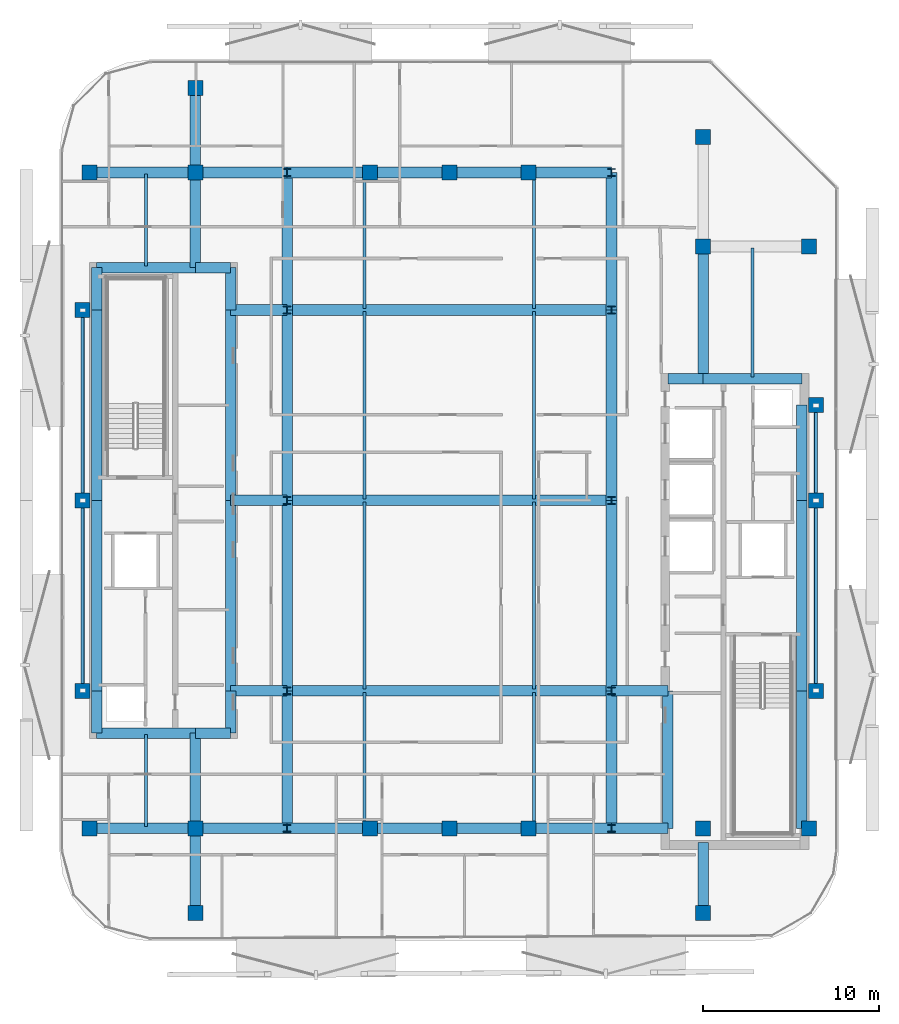
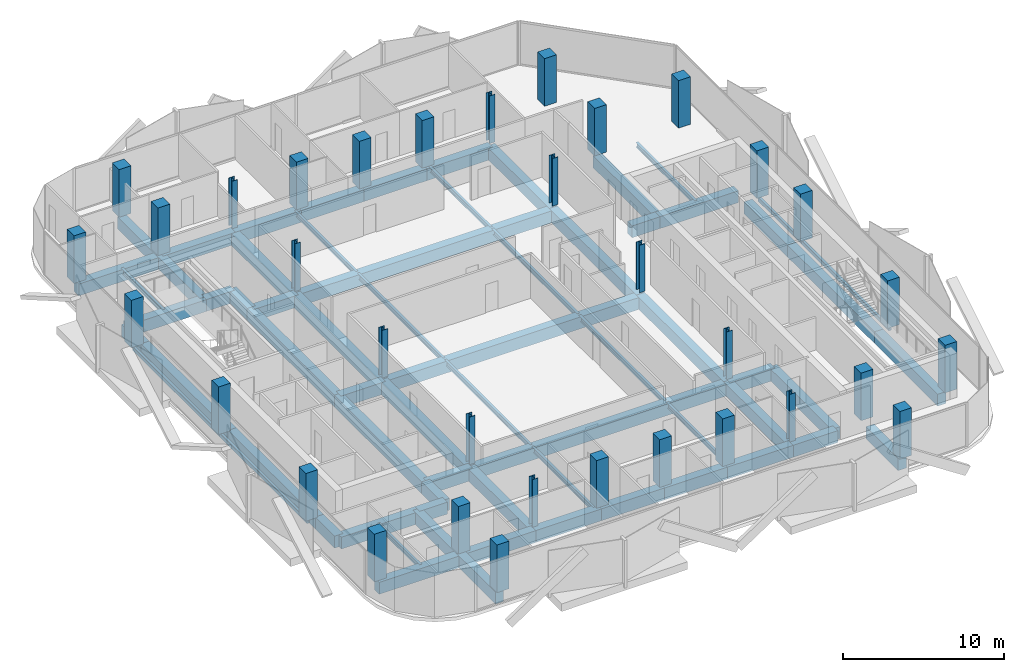
# One storey, part 1 of 15: 67 beams, 34 columns.
"""IFC4 building model written with IfcOpenShell, lengths in metres."""

from ifc_helpers import new_model, si_unit, direction, frame, origin, origin_2d, place, context, subcontext, project, spatial, rectangle, hollow_rectangle, i_section, extrude, material, material_profile, profile_set, type_object, element, save


model = new_model("IFC4")

# Units and contexts
model_context = context("Model", 3, precision=1e-05, world=origin(), true_north=direction((0.0, 1.0)))
body_context = subcontext(model_context, "Body", "Model", "MODEL_VIEW")
ifc_project = project(units=[si_unit("LENGTHUNIT", "METRE"), si_unit("AREAUNIT", "SQUARE_METRE"), si_unit("VOLUMEUNIT", "CUBIC_METRE"), si_unit("PLANEANGLEUNIT", "RADIAN"), si_unit("MASSUNIT", "GRAM", prefix="KILO")], contexts=[model_context])

# Site, building, storey
site_placement = place(None, origin())
site = spatial("IfcSite", under=ifc_project, at=site_placement, CompositionType="ELEMENT")
building_placement = place(site_placement, origin())
building = spatial("IfcBuilding", under=site, at=building_placement, Name="Khairoan Windgate Tower", CompositionType="ELEMENT")
storey_placement = place(building_placement, frame((0.0, 0.0, 254.800048828125)))
storey = spatial("IfcBuildingStorey", under=building, at=storey_placement, Name="L60", CompositionType="ELEMENT", Elevation=254.800048828125)

# Columns
ifc_material_1 = material(Name="Concrete C50/60", Category="concrete")
ifc_material_profile_1 = material_profile(ifc_material_1, rectangle(XDim=0.85009765625, YDim=0.85009765625, at=origin_2d()))
ifc_profile_set_1 = profile_set([ifc_material_profile_1], Name="Concrete C50/60")
column_type_1 = type_object("IfcColumnType", Name="Column C-T5 RC850x850", PredefinedType="COLUMN", material=ifc_profile_set_1)
for number, where, z_axis, x_axis, name in (
    (1, (-20.39990234375, -18.60009765625, 0.0), (0.0, 0.0, 1.0), (1.0, 0.0, 0.0), "Column L60-11"),
    (2, (-20.39990234375, 18.60009765625, 0.0), (0.0, 0.0, 1.0), (1.0, 0.0, 0.0), "Column L60-12"),
    (3, (20.39990234375, -18.60009765625, 0.0), (0.0, 0.0, 1.0), (1.0, 0.0, 0.0), "Column L60-13"),
    (4, (20.39990234375, 14.39990234375, 0.0), (0.0, 0.0, 1.0), (1.0, 0.0, 0.0), "Column L60-14"),
    (5, (-14.39990234375, -18.60009765625, 0.0), (0.0, 0.0, 1.0), (1.0, 0.0, 0.0), "Column L60-15"),
    (6, (-14.39990234375, 18.60009765625, 0.0), (0.0, 0.0, 1.0), (1.0, 0.0, 0.0), "Column L60-16"),
    (7, (14.39990234375, -18.60009765625, 0.0), (0.0, 0.0, 1.0), (1.0, 0.0, 0.0), "Column L60-17"),
    (8, (14.39990234375, 14.39990234375, 0.0), (0.0, 0.0, 1.0), (1.0, 0.0, 0.0), "Column L60-18"),
    (9, (-4.5, -18.60009765625, 0.0), (0.0, 0.0, 1.0), (1.0, 0.0, 0.0), "Column L60-19"),
    (10, (0.0, -18.60009765625, 0.0), (0.0, 0.0, 1.0), (1.0, 0.0, 0.0), "Column L60-20"),
    (11, (4.5, -18.60009765625, 0.0), (0.0, 0.0, 1.0), (1.0, 0.0, 0.0), "Column L60-21"),
    (12, (-4.5, 18.60009765625, 0.0), (0.0, 0.0, 1.0), (1.0, 0.0, 0.0), "Column L60-22"),
    (13, (0.0, 18.60009765625, 0.0), (0.0, 0.0, 1.0), (1.0, 0.0, 0.0), "Column L60-23"),
    (14, (4.5, 18.60009765625, 0.0), (0.0, 0.0, 1.0), (1.0, 0.0, 0.0), "Column L60-24"),
    (15, (-20.800048828125, -10.800048828125, 0.0), (0.0, 0.0, 1.0), (1.0, 0.0, 0.0), "Column L60-25"),
    (16, (-20.800048828125, 0.0, 0.0), (0.0, 0.0, 1.0), (1.0, 0.0, 0.0), "Column L60-26"),
    (17, (-20.800048828125, 10.800048828125, 0.0), (0.0, 0.0, 1.0), (1.0, 0.0, 0.0), "Column L60-27"),
    (18, (20.800048828125, -10.800048828125, 0.0), (0.0, 0.0, 1.0), (1.0, 0.0, 0.0), "Column L60-28"),
    (19, (20.800048828125, 0.0, 0.0), (0.0, 0.0, 1.0), (1.0, 0.0, 0.0), "Column L60-29"),
    (20, (20.800048828125, 5.39990234375, 0.0), (0.0, 0.0, 1.0), (1.0, 0.0, 0.0), "Column L60-30"),
    (21, (-14.39990234375, -23.39990234375, 0.0), (0.0, 0.0, 1.0), (1.0, 0.0, 0.0), "Column L60-31"),
    (22, (-14.39990234375, 23.39990234375, 0.0), (0.0, 0.0, 1.0), (1.0, 0.0, 0.0), "Column L60-32"),
    (23, (14.39990234375, -23.39990234375, 0.0), (0.0, 0.0, 1.0), (1.0, 0.0, 0.0), "Column L60-33"),
    (24, (14.39990234375, 20.60009765625, 0.0), (0.0, 0.0, 1.0), (1.0, 0.0, 0.0), "Column L60-34"),
):
    element("IfcColumn", number, at=place(storey_placement, frame(where, z_axis=z_axis, x_axis=x_axis)), inside=storey, type_object=column_type_1, Name=name, PredefinedType="COLUMN", context=body_context, shape_type="SweptSolid", body=[
        extrude(rectangle(XDim=0.85009765625, YDim=0.85009765625, at=origin_2d()), origin(), (0.0, 0.0, 1.0), 3.599853515625),
    ])
ifc_material_2 = material(Name="Steel S355", Category="steel")
ifc_material_profile_2 = material_profile(ifc_material_2, i_section(OverallWidth=0.406982421875, OverallDepth=0.427978515625, WebThickness=0.02001953125, FlangeThickness=0.034912109375, FilletRadius=0.02197265625, at=origin_2d()))
ifc_profile_set_2 = profile_set([ifc_material_profile_2], Name="Steel S355")
column_type_2 = type_object("IfcColumnType", Name="Steel Column SC3 H428x407x20x35", PredefinedType="COLUMN", material=ifc_profile_set_2)
for number, where, z_axis, x_axis, name in (
    (25, (-9.199951171875, -18.60009765625, 0.0), (0.0, 0.0, 1.0), (1.0, 0.0, 0.0), "Column L60-01"),
    (26, (-9.199951171875, -10.800048828125, 0.0), (0.0, 0.0, 1.0), (1.0, 0.0, 0.0), "Column L60-02"),
    (27, (-9.199951171875, 0.0, 0.0), (0.0, 0.0, 1.0), (1.0, 0.0, 0.0), "Column L60-03"),
    (28, (-9.199951171875, 10.800048828125, 0.0), (0.0, 0.0, 1.0), (1.0, 0.0, 0.0), "Column L60-04"),
    (29, (-9.199951171875, 18.60009765625, 0.0), (0.0, 0.0, 1.0), (1.0, 0.0, 0.0), "Column L60-05"),
    (30, (9.199951171875, -18.60009765625, 0.0), (0.0, 0.0, 1.0), (1.0, 0.0, 0.0), "Column L60-06"),
    (31, (9.199951171875, -10.800048828125, 0.0), (0.0, 0.0, 1.0), (1.0, 0.0, 0.0), "Column L60-07"),
    (32, (9.199951171875, 0.0, 0.0), (0.0, 0.0, 1.0), (1.0, 0.0, 0.0), "Column L60-08"),
    (33, (9.199951171875, 10.800048828125, 0.0), (0.0, 0.0, 1.0), (1.0, 0.0, 0.0), "Column L60-09"),
    (34, (9.199951171875, 18.60009765625, 0.0), (0.0, 0.0, 1.0), (1.0, 0.0, 0.0), "Column L60-10"),
):
    element("IfcColumn", number, at=place(storey_placement, frame(where, z_axis=z_axis, x_axis=x_axis)), inside=storey, type_object=column_type_2, Name=name, PredefinedType="COLUMN", context=body_context, shape_type="SweptSolid", body=[
        extrude(i_section(OverallWidth=0.406982421875, OverallDepth=0.427978515625, WebThickness=0.02001953125, FlangeThickness=0.034912109375, FilletRadius=0.02197265625, at=origin_2d()), origin(), (0.0, 0.0, 1.0), 3.599853515625),
    ])

# Beams
ifc_material_3 = material(Name="Concrete C50/60", Category="concrete")
ifc_material_profile_3 = material_profile(ifc_material_3, rectangle(XDim=0.60009765625, YDim=0.89990234375, at=origin_2d()))
ifc_profile_set_3 = profile_set([ifc_material_profile_3], Name="Concrete C50/60")
beam_type_1 = type_object("IfcBeamType", Name="Beam B-RC1 RC600x900", PredefinedType="BEAM", material=ifc_profile_set_3)
beam_1_placement = place(storey_placement, frame((-20.39990234375, -18.60009765625, -0.7099609375), z_axis=(1.0, 0.0, 0.0), x_axis=(0.0, 1.0, 0.0)))
element("IfcBeam", 35, at=beam_1_placement, inside=storey, type_object=beam_type_1, Name="L60 E-W Primary Girder 01", PredefinedType="BEAM", context=body_context, shape_type="SweptSolid", body=[
    extrude(rectangle(XDim=0.60009765625, YDim=0.89990234375, at=origin_2d()), origin(), (0.0, 0.0, 1.0), 6.0),
])
beam_2_placement = place(storey_placement, frame((-14.39990234375, -18.60009765625, -0.7099609375), z_axis=(1.0, 0.0, 0.0), x_axis=(0.0, 1.0, 0.0)))
element("IfcBeam", 36, at=beam_2_placement, inside=storey, type_object=beam_type_1, Name="L60 E-W Primary Girder 02", PredefinedType="BEAM", context=body_context, shape_type="SweptSolid", body=[
    extrude(rectangle(XDim=0.60009765625, YDim=0.89990234375, at=origin_2d()), origin(), (0.0, 0.0, 1.0), 5.199951171875),
])
beam_3_placement = place(storey_placement, frame((-9.199951171875, -18.60009765625, -0.7099609375), z_axis=(1.0, 0.0, 0.0), x_axis=(0.0, 1.0, 0.0)))
element("IfcBeam", 37, at=beam_3_placement, inside=storey, type_object=beam_type_1, Name="L60 E-W Primary Girder 03", PredefinedType="BEAM", context=body_context, shape_type="SweptSolid", body=[
    extrude(rectangle(XDim=0.60009765625, YDim=0.89990234375, at=origin_2d()), origin(), (0.0, 0.0, 1.0), 4.699951171875),
])
for number, where, z_axis, x_axis, name in (
    (38, (-4.5, -18.60009765625, -0.7099609375), (1.0, 0.0, 0.0), (0.0, 1.0, 0.0), "L60 E-W Primary Girder 04"),
    (39, (0.0, -18.60009765625, -0.7099609375), (1.0, 0.0, 0.0), (0.0, 1.0, 0.0), "L60 E-W Primary Girder 05"),
):
    element("IfcBeam", number, at=place(storey_placement, frame(where, z_axis=z_axis, x_axis=x_axis)), inside=storey, type_object=beam_type_1, Name=name, PredefinedType="BEAM", context=body_context, shape_type="SweptSolid", body=[
        extrude(rectangle(XDim=0.60009765625, YDim=0.89990234375, at=origin_2d()), origin(), (0.0, 0.0, 1.0), 4.5),
    ])
beam_4_placement = place(storey_placement, frame((4.5, -18.60009765625, -0.7099609375), z_axis=(1.0, 0.0, 0.0), x_axis=(0.0, 1.0, 0.0)))
element("IfcBeam", 40, at=beam_4_placement, inside=storey, type_object=beam_type_1, Name="L60 E-W Primary Girder 06", PredefinedType="BEAM", context=body_context, shape_type="SweptSolid", body=[
    extrude(rectangle(XDim=0.60009765625, YDim=0.89990234375, at=origin_2d()), origin(), (0.0, 0.0, 1.0), 4.699951171875),
])
beam_5_placement = place(storey_placement, frame((9.199951171875, -18.60009765625, -0.7099609375), z_axis=(1.0, 0.0, 0.0), x_axis=(0.0, 1.0, 0.0)))
element("IfcBeam", 41, at=beam_5_placement, inside=storey, type_object=beam_type_1, Name="L60 E-W Primary Girder 07", PredefinedType="BEAM", context=body_context, shape_type="SweptSolid", body=[
    extrude(rectangle(XDim=0.60009765625, YDim=0.89990234375, at=origin_2d()), origin(), (0.0, 0.0, 1.0), 3.199951171875),
])
beam_6_placement = place(storey_placement, frame((-20.0, -13.199951171875, -0.7099609375), z_axis=(1.0, 0.0, 0.0), x_axis=(0.0, 1.0, 0.0)))
element("IfcBeam", 42, at=beam_6_placement, inside=storey, type_object=beam_type_1, Name="L60 E-W Primary Girder 08", PredefinedType="BEAM", context=body_context, shape_type="SweptSolid", body=[
    extrude(rectangle(XDim=0.60009765625, YDim=0.89990234375, at=origin_2d()), origin(), (0.0, 0.0, 1.0), 5.60009765625),
])
beam_7_placement = place(storey_placement, frame((-14.39990234375, -13.199951171875, -0.7099609375), z_axis=(1.0, 0.0, 0.0), x_axis=(0.0, 1.0, 0.0)))
element("IfcBeam", 43, at=beam_7_placement, inside=storey, type_object=beam_type_1, Name="L60 E-W Primary Girder 09", PredefinedType="BEAM", context=body_context, shape_type="SweptSolid", body=[
    extrude(rectangle(XDim=0.60009765625, YDim=0.89990234375, at=origin_2d()), origin(), (0.0, 0.0, 1.0), 2.0),
])
beam_8_placement = place(storey_placement, frame((-12.39990234375, -10.800048828125, -0.7099609375), z_axis=(1.0, 0.0, 0.0), x_axis=(0.0, 1.0, 0.0)))
element("IfcBeam", 44, at=beam_8_placement, inside=storey, type_object=beam_type_1, Name="L60 E-W Primary Girder 10", PredefinedType="BEAM", context=body_context, shape_type="SweptSolid", body=[
    extrude(rectangle(XDim=0.60009765625, YDim=0.89990234375, at=origin_2d()), origin(), (0.0, 0.0, 1.0), 3.199951171875),
])
beam_9_placement = place(storey_placement, frame((-9.199951171875, -10.800048828125, -0.7099609375), z_axis=(1.0, 0.0, 0.0), x_axis=(0.0, 1.0, 0.0)))
element("IfcBeam", 45, at=beam_9_placement, inside=storey, type_object=beam_type_1, Name="L60 E-W Primary Girder 11", PredefinedType="BEAM", context=body_context, shape_type="SweptSolid", body=[
    extrude(rectangle(XDim=0.60009765625, YDim=0.89990234375, at=origin_2d()), origin(), (0.0, 0.0, 1.0), 18.39990234375),
])
for number, where, z_axis, x_axis, name in (
    (46, (9.199951171875, -10.800048828125, -0.7099609375), (1.0, 0.0, 0.0), (0.0, 1.0, 0.0), "L60 E-W Primary Girder 12"),
    (47, (-12.39990234375, 0.0, -0.7099609375), (1.0, 0.0, 0.0), (0.0, 1.0, 0.0), "L60 E-W Primary Girder 13"),
):
    element("IfcBeam", number, at=place(storey_placement, frame(where, z_axis=z_axis, x_axis=x_axis)), inside=storey, type_object=beam_type_1, Name=name, PredefinedType="BEAM", context=body_context, shape_type="SweptSolid", body=[
        extrude(rectangle(XDim=0.60009765625, YDim=0.89990234375, at=origin_2d()), origin(), (0.0, 0.0, 1.0), 3.199951171875),
    ])
beam_10_placement = place(storey_placement, frame((-9.199951171875, 0.0, -0.7099609375), z_axis=(1.0, 0.0, 0.0), x_axis=(0.0, 1.0, 0.0)))
element("IfcBeam", 48, at=beam_10_placement, inside=storey, type_object=beam_type_1, Name="L60 E-W Primary Girder 14", PredefinedType="BEAM", context=body_context, shape_type="SweptSolid", body=[
    extrude(rectangle(XDim=0.60009765625, YDim=0.89990234375, at=origin_2d()), origin(), (0.0, 0.0, 1.0), 18.39990234375),
])
beam_11_placement = place(storey_placement, frame((12.39990234375, 6.89990234375, -0.7099609375), z_axis=(1.0, 0.0, 0.0), x_axis=(0.0, 1.0, 0.0)))
element("IfcBeam", 49, at=beam_11_placement, inside=storey, type_object=beam_type_1, Name="L60 E-W Primary Girder 15", PredefinedType="BEAM", context=body_context, shape_type="SweptSolid", body=[
    extrude(rectangle(XDim=0.60009765625, YDim=0.89990234375, at=origin_2d()), origin(), (0.0, 0.0, 1.0), 2.0),
])
beam_12_placement = place(storey_placement, frame((14.39990234375, 6.89990234375, -0.7099609375), z_axis=(1.0, 0.0, 0.0), x_axis=(0.0, 1.0, 0.0)))
element("IfcBeam", 50, at=beam_12_placement, inside=storey, type_object=beam_type_1, Name="L60 E-W Primary Girder 16", PredefinedType="BEAM", context=body_context, shape_type="SweptSolid", body=[
    extrude(rectangle(XDim=0.60009765625, YDim=0.89990234375, at=origin_2d()), origin(), (0.0, 0.0, 1.0), 5.60009765625),
])
beam_13_placement = place(storey_placement, frame((-12.39990234375, 10.800048828125, -0.7099609375), z_axis=(1.0, 0.0, 0.0), x_axis=(0.0, 1.0, 0.0)))
element("IfcBeam", 51, at=beam_13_placement, inside=storey, type_object=beam_type_1, Name="L60 E-W Primary Girder 17", PredefinedType="BEAM", context=body_context, shape_type="SweptSolid", body=[
    extrude(rectangle(XDim=0.60009765625, YDim=0.89990234375, at=origin_2d()), origin(), (0.0, 0.0, 1.0), 3.199951171875),
])
beam_14_placement = place(storey_placement, frame((-9.199951171875, 10.800048828125, -0.7099609375), z_axis=(1.0, 0.0, 0.0), x_axis=(0.0, 1.0, 0.0)))
element("IfcBeam", 52, at=beam_14_placement, inside=storey, type_object=beam_type_1, Name="L60 E-W Primary Girder 18", PredefinedType="BEAM", context=body_context, shape_type="SweptSolid", body=[
    extrude(rectangle(XDim=0.60009765625, YDim=0.89990234375, at=origin_2d()), origin(), (0.0, 0.0, 1.0), 18.39990234375),
])
beam_15_placement = place(storey_placement, frame((-20.0, 13.199951171875, -0.7099609375), z_axis=(1.0, 0.0, 0.0), x_axis=(0.0, 1.0, 0.0)))
element("IfcBeam", 53, at=beam_15_placement, inside=storey, type_object=beam_type_1, Name="L60 E-W Primary Girder 19", PredefinedType="BEAM", context=body_context, shape_type="SweptSolid", body=[
    extrude(rectangle(XDim=0.60009765625, YDim=0.89990234375, at=origin_2d()), origin(), (0.0, 0.0, 1.0), 5.60009765625),
])
beam_16_placement = place(storey_placement, frame((-14.39990234375, 13.199951171875, -0.7099609375), z_axis=(1.0, 0.0, 0.0), x_axis=(0.0, 1.0, 0.0)))
element("IfcBeam", 54, at=beam_16_placement, inside=storey, type_object=beam_type_1, Name="L60 E-W Primary Girder 20", PredefinedType="BEAM", context=body_context, shape_type="SweptSolid", body=[
    extrude(rectangle(XDim=0.60009765625, YDim=0.89990234375, at=origin_2d()), origin(), (0.0, 0.0, 1.0), 2.0),
])
beam_17_placement = place(storey_placement, frame((-20.39990234375, 18.60009765625, -0.7099609375), z_axis=(1.0, 0.0, 0.0), x_axis=(0.0, 1.0, 0.0)))
element("IfcBeam", 55, at=beam_17_placement, inside=storey, type_object=beam_type_1, Name="L60 E-W Primary Girder 22", PredefinedType="BEAM", context=body_context, shape_type="SweptSolid", body=[
    extrude(rectangle(XDim=0.60009765625, YDim=0.89990234375, at=origin_2d()), origin(), (0.0, 0.0, 1.0), 6.0),
])
beam_18_placement = place(storey_placement, frame((-14.39990234375, 18.60009765625, -0.7099609375), z_axis=(1.0, 0.0, 0.0), x_axis=(0.0, 1.0, 0.0)))
element("IfcBeam", 56, at=beam_18_placement, inside=storey, type_object=beam_type_1, Name="L60 E-W Primary Girder 23", PredefinedType="BEAM", context=body_context, shape_type="SweptSolid", body=[
    extrude(rectangle(XDim=0.60009765625, YDim=0.89990234375, at=origin_2d()), origin(), (0.0, 0.0, 1.0), 5.199951171875),
])
beam_19_placement = place(storey_placement, frame((-9.199951171875, 18.60009765625, -0.7099609375), z_axis=(1.0, 0.0, 0.0), x_axis=(0.0, 1.0, 0.0)))
element("IfcBeam", 57, at=beam_19_placement, inside=storey, type_object=beam_type_1, Name="L60 E-W Primary Girder 24", PredefinedType="BEAM", context=body_context, shape_type="SweptSolid", body=[
    extrude(rectangle(XDim=0.60009765625, YDim=0.89990234375, at=origin_2d()), origin(), (0.0, 0.0, 1.0), 4.699951171875),
])
for number, where, z_axis, x_axis, name in (
    (58, (-4.5, 18.60009765625, -0.7099609375), (1.0, 0.0, 0.0), (0.0, 1.0, 0.0), "L60 E-W Primary Girder 25"),
    (59, (0.0, 18.60009765625, -0.7099609375), (1.0, 0.0, 0.0), (0.0, 1.0, 0.0), "L60 E-W Primary Girder 26"),
):
    element("IfcBeam", number, at=place(storey_placement, frame(where, z_axis=z_axis, x_axis=x_axis)), inside=storey, type_object=beam_type_1, Name=name, PredefinedType="BEAM", context=body_context, shape_type="SweptSolid", body=[
        extrude(rectangle(XDim=0.60009765625, YDim=0.89990234375, at=origin_2d()), origin(), (0.0, 0.0, 1.0), 4.5),
    ])
beam_20_placement = place(storey_placement, frame((4.5, 18.60009765625, -0.7099609375), z_axis=(1.0, 0.0, 0.0), x_axis=(0.0, 1.0, 0.0)))
element("IfcBeam", 60, at=beam_20_placement, inside=storey, type_object=beam_type_1, Name="L60 E-W Primary Girder 27", PredefinedType="BEAM", context=body_context, shape_type="SweptSolid", body=[
    extrude(rectangle(XDim=0.60009765625, YDim=0.89990234375, at=origin_2d()), origin(), (0.0, 0.0, 1.0), 4.699951171875),
])
beam_21_placement = place(storey_placement, frame((-20.0, -13.199951171875, -0.7099609375), z_axis=(0.0, 1.0, 0.0), x_axis=(-1.0, 0.0, 0.0)))
element("IfcBeam", 61, at=beam_21_placement, inside=storey, type_object=beam_type_1, Name="L60 N-S Primary Beam 30", PredefinedType="BEAM", context=body_context, shape_type="SweptSolid", body=[
    extrude(rectangle(XDim=0.60009765625, YDim=0.89990234375, at=origin_2d()), origin(), (0.0, 0.0, 1.0), 2.39990234375),
])
for number, where, z_axis, x_axis, name in (
    (62, (-20.0, -10.800048828125, -0.7099609375), (0.0, 1.0, 0.0), (-1.0, 0.0, 0.0), "L60 N-S Primary Beam 31"),
    (63, (-20.0, 0.0, -0.7099609375), (0.0, 1.0, 0.0), (-1.0, 0.0, 0.0), "L60 N-S Primary Beam 32"),
):
    element("IfcBeam", number, at=place(storey_placement, frame(where, z_axis=z_axis, x_axis=x_axis)), inside=storey, type_object=beam_type_1, Name=name, PredefinedType="BEAM", context=body_context, shape_type="SweptSolid", body=[
        extrude(rectangle(XDim=0.60009765625, YDim=0.89990234375, at=origin_2d()), origin(), (0.0, 0.0, 1.0), 10.800048828125),
    ])
beam_22_placement = place(storey_placement, frame((-20.0, 10.800048828125, -0.7099609375), z_axis=(0.0, 1.0, 0.0), x_axis=(-1.0, 0.0, 0.0)))
element("IfcBeam", 64, at=beam_22_placement, inside=storey, type_object=beam_type_1, Name="L60 N-S Primary Beam 33", PredefinedType="BEAM", context=body_context, shape_type="SweptSolid", body=[
    extrude(rectangle(XDim=0.60009765625, YDim=0.89990234375, at=origin_2d()), origin(), (0.0, 0.0, 1.0), 2.39990234375),
])
beam_23_placement = place(storey_placement, frame((-14.39990234375, -23.39990234375, -0.7099609375), z_axis=(0.0, 1.0, 0.0), x_axis=(-1.0, 0.0, 0.0)))
element("IfcBeam", 65, at=beam_23_placement, inside=storey, type_object=beam_type_1, Name="L60 N-S Primary Beam 34", PredefinedType="BEAM", context=body_context, shape_type="SweptSolid", body=[
    extrude(rectangle(XDim=0.60009765625, YDim=0.89990234375, at=origin_2d()), origin(), (0.0, 0.0, 1.0), 4.7998046875),
])
for number, where, z_axis, x_axis, name in (
    (66, (-14.39990234375, -18.60009765625, -0.7099609375), (0.0, 1.0, 0.0), (-1.0, 0.0, 0.0), "L60 N-S Primary Beam 35"),
    (67, (-14.39990234375, 13.199951171875, -0.7099609375), (0.0, 1.0, 0.0), (-1.0, 0.0, 0.0), "L60 N-S Primary Beam 36"),
):
    element("IfcBeam", number, at=place(storey_placement, frame(where, z_axis=z_axis, x_axis=x_axis)), inside=storey, type_object=beam_type_1, Name=name, PredefinedType="BEAM", context=body_context, shape_type="SweptSolid", body=[
        extrude(rectangle(XDim=0.60009765625, YDim=0.89990234375, at=origin_2d()), origin(), (0.0, 0.0, 1.0), 5.400146484375),
    ])
beam_24_placement = place(storey_placement, frame((-14.39990234375, 18.60009765625, -0.7099609375), z_axis=(0.0, 1.0, 0.0), x_axis=(-1.0, 0.0, 0.0)))
element("IfcBeam", 68, at=beam_24_placement, inside=storey, type_object=beam_type_1, Name="L60 N-S Primary Beam 37", PredefinedType="BEAM", context=body_context, shape_type="SweptSolid", body=[
    extrude(rectangle(XDim=0.60009765625, YDim=0.89990234375, at=origin_2d()), origin(), (0.0, 0.0, 1.0), 4.7998046875),
])
beam_25_placement = place(storey_placement, frame((-12.39990234375, -13.199951171875, -0.7099609375), z_axis=(0.0, 1.0, 0.0), x_axis=(-1.0, 0.0, 0.0)))
element("IfcBeam", 69, at=beam_25_placement, inside=storey, type_object=beam_type_1, Name="L60 N-S Primary Beam 38", PredefinedType="BEAM", context=body_context, shape_type="SweptSolid", body=[
    extrude(rectangle(XDim=0.60009765625, YDim=0.89990234375, at=origin_2d()), origin(), (0.0, 0.0, 1.0), 2.39990234375),
])
for number, where, z_axis, x_axis, name in (
    (70, (-12.39990234375, -10.800048828125, -0.7099609375), (0.0, 1.0, 0.0), (-1.0, 0.0, 0.0), "L60 N-S Primary Beam 39"),
    (71, (-12.39990234375, 0.0, -0.7099609375), (0.0, 1.0, 0.0), (-1.0, 0.0, 0.0), "L60 N-S Primary Beam 40"),
):
    element("IfcBeam", number, at=place(storey_placement, frame(where, z_axis=z_axis, x_axis=x_axis)), inside=storey, type_object=beam_type_1, Name=name, PredefinedType="BEAM", context=body_context, shape_type="SweptSolid", body=[
        extrude(rectangle(XDim=0.60009765625, YDim=0.89990234375, at=origin_2d()), origin(), (0.0, 0.0, 1.0), 10.800048828125),
    ])
beam_26_placement = place(storey_placement, frame((-12.39990234375, 10.800048828125, -0.7099609375), z_axis=(0.0, 1.0, 0.0), x_axis=(-1.0, 0.0, 0.0)))
element("IfcBeam", 72, at=beam_26_placement, inside=storey, type_object=beam_type_1, Name="L60 N-S Primary Beam 41", PredefinedType="BEAM", context=body_context, shape_type="SweptSolid", body=[
    extrude(rectangle(XDim=0.60009765625, YDim=0.89990234375, at=origin_2d()), origin(), (0.0, 0.0, 1.0), 2.39990234375),
])
beam_27_placement = place(storey_placement, frame((-9.199951171875, -18.60009765625, -0.7099609375), z_axis=(0.0, 1.0, 0.0), x_axis=(-1.0, 0.0, 0.0)))
element("IfcBeam", 73, at=beam_27_placement, inside=storey, type_object=beam_type_1, Name="L60 N-S Primary Beam 42", PredefinedType="BEAM", context=body_context, shape_type="SweptSolid", body=[
    extrude(rectangle(XDim=0.60009765625, YDim=0.89990234375, at=origin_2d()), origin(), (0.0, 0.0, 1.0), 7.800048828125),
])
for number, where, z_axis, x_axis, name in (
    (74, (-9.199951171875, -10.800048828125, -0.7099609375), (0.0, 1.0, 0.0), (-1.0, 0.0, 0.0), "L60 N-S Primary Beam 43"),
    (75, (-9.199951171875, 0.0, -0.7099609375), (0.0, 1.0, 0.0), (-1.0, 0.0, 0.0), "L60 N-S Primary Beam 44"),
):
    element("IfcBeam", number, at=place(storey_placement, frame(where, z_axis=z_axis, x_axis=x_axis)), inside=storey, type_object=beam_type_1, Name=name, PredefinedType="BEAM", context=body_context, shape_type="SweptSolid", body=[
        extrude(rectangle(XDim=0.60009765625, YDim=0.89990234375, at=origin_2d()), origin(), (0.0, 0.0, 1.0), 10.800048828125),
    ])
for number, where, z_axis, x_axis, name in (
    (76, (-9.199951171875, 10.800048828125, -0.7099609375), (0.0, 1.0, 0.0), (-1.0, 0.0, 0.0), "L60 N-S Primary Beam 45"),
    (77, (9.199951171875, -18.60009765625, -0.7099609375), (0.0, 1.0, 0.0), (-1.0, 0.0, 0.0), "L60 N-S Primary Beam 46"),
):
    element("IfcBeam", number, at=place(storey_placement, frame(where, z_axis=z_axis, x_axis=x_axis)), inside=storey, type_object=beam_type_1, Name=name, PredefinedType="BEAM", context=body_context, shape_type="SweptSolid", body=[
        extrude(rectangle(XDim=0.60009765625, YDim=0.89990234375, at=origin_2d()), origin(), (0.0, 0.0, 1.0), 7.800048828125),
    ])
for number, where, z_axis, x_axis, name in (
    (78, (9.199951171875, -10.800048828125, -0.7099609375), (0.0, 1.0, 0.0), (-1.0, 0.0, 0.0), "L60 N-S Primary Beam 47"),
    (79, (9.199951171875, 0.0, -0.7099609375), (0.0, 1.0, 0.0), (-1.0, 0.0, 0.0), "L60 N-S Primary Beam 48"),
):
    element("IfcBeam", number, at=place(storey_placement, frame(where, z_axis=z_axis, x_axis=x_axis)), inside=storey, type_object=beam_type_1, Name=name, PredefinedType="BEAM", context=body_context, shape_type="SweptSolid", body=[
        extrude(rectangle(XDim=0.60009765625, YDim=0.89990234375, at=origin_2d()), origin(), (0.0, 0.0, 1.0), 10.800048828125),
    ])
for number, where, z_axis, x_axis, name in (
    (80, (9.199951171875, 10.800048828125, -0.7099609375), (0.0, 1.0, 0.0), (-1.0, 0.0, 0.0), "L60 N-S Primary Beam 49"),
    (81, (12.39990234375, -18.60009765625, -0.7099609375), (0.0, 1.0, 0.0), (-1.0, 0.0, 0.0), "L60 N-S Primary Beam 50"),
):
    element("IfcBeam", number, at=place(storey_placement, frame(where, z_axis=z_axis, x_axis=x_axis)), inside=storey, type_object=beam_type_1, Name=name, PredefinedType="BEAM", context=body_context, shape_type="SweptSolid", body=[
        extrude(rectangle(XDim=0.60009765625, YDim=0.89990234375, at=origin_2d()), origin(), (0.0, 0.0, 1.0), 7.800048828125),
    ])
beam_28_placement = place(storey_placement, frame((14.39990234375, -23.39990234375, -0.7099609375), z_axis=(0.0, 1.0, 0.0), x_axis=(-1.0, 0.0, 0.0)))
element("IfcBeam", 82, at=beam_28_placement, inside=storey, type_object=beam_type_1, Name="L60 N-S Primary Beam 51", PredefinedType="BEAM", context=body_context, shape_type="SweptSolid", body=[
    extrude(rectangle(XDim=0.60009765625, YDim=0.89990234375, at=origin_2d()), origin(), (0.0, 0.0, 1.0), 4.0),
])
beam_29_placement = place(storey_placement, frame((14.39990234375, 6.89990234375, -0.7099609375), z_axis=(0.0, 1.0, 0.0), x_axis=(-1.0, 0.0, 0.0)))
element("IfcBeam", 83, at=beam_29_placement, inside=storey, type_object=beam_type_1, Name="L60 N-S Primary Beam 52", PredefinedType="BEAM", context=body_context, shape_type="SweptSolid", body=[
    extrude(rectangle(XDim=0.60009765625, YDim=0.89990234375, at=origin_2d()), origin(), (0.0, 0.0, 1.0), 7.5),
])
beam_30_placement = place(storey_placement, frame((20.0, -18.60009765625, -0.7099609375), z_axis=(0.0, 1.0, 0.0), x_axis=(-1.0, 0.0, 0.0)))
element("IfcBeam", 84, at=beam_30_placement, inside=storey, type_object=beam_type_1, Name="L60 N-S Primary Beam 54", PredefinedType="BEAM", context=body_context, shape_type="SweptSolid", body=[
    extrude(rectangle(XDim=0.60009765625, YDim=0.89990234375, at=origin_2d()), origin(), (0.0, 0.0, 1.0), 7.800048828125),
])
beam_31_placement = place(storey_placement, frame((20.0, -10.800048828125, -0.7099609375), z_axis=(0.0, 1.0, 0.0), x_axis=(-1.0, 0.0, 0.0)))
element("IfcBeam", 85, at=beam_31_placement, inside=storey, type_object=beam_type_1, Name="L60 N-S Primary Beam 55", PredefinedType="BEAM", context=body_context, shape_type="SweptSolid", body=[
    extrude(rectangle(XDim=0.60009765625, YDim=0.89990234375, at=origin_2d()), origin(), (0.0, 0.0, 1.0), 10.800048828125),
])
beam_32_placement = place(storey_placement, frame((20.0, 0.0, -0.7099609375), z_axis=(0.0, 1.0, 0.0), x_axis=(-1.0, 0.0, 0.0)))
element("IfcBeam", 86, at=beam_32_placement, inside=storey, type_object=beam_type_1, Name="L60 N-S Primary Beam 56", PredefinedType="BEAM", context=body_context, shape_type="SweptSolid", body=[
    extrude(rectangle(XDim=0.60009765625, YDim=0.89990234375, at=origin_2d()), origin(), (0.0, 0.0, 1.0), 5.39990234375),
])
ifc_material_4 = material(Name="Steel S355", Category="steel")
ifc_material_profile_4 = material_profile(ifc_material_4, i_section(OverallWidth=0.175048828125, OverallDepth=0.35009765625, WebThickness=0.007080078125, FlangeThickness=0.010986328125, FilletRadius=0.013916015625, at=origin_2d()))
ifc_profile_set_4 = profile_set([ifc_material_profile_4], Name="Steel S355")
beam_type_2 = type_object("IfcBeamType", Name="Beam J-S5 H350x175x7x11", PredefinedType="JOIST", material=ifc_profile_set_4)
for number, where, z_axis, x_axis, name in (
    (87, (-17.199951171875, -18.510009765625, -0.43505859375), (0.0, 1.0, 0.0), (-1.0, 0.0, 0.0), "L60 Secondary Floor Joist 01"),
    (88, (-17.199951171875, 13.2900390625, -0.43505859375), (0.0, 1.0, 0.0), (-1.0, 0.0, 0.0), "L60 Secondary Floor Joist 02"),
):
    element("IfcBeam", number, at=place(storey_placement, frame(where, z_axis=z_axis, x_axis=x_axis)), inside=storey, type_object=beam_type_2, Name=name, PredefinedType="JOIST", context=body_context, shape_type="SweptSolid", body=[
        extrude(i_section(OverallWidth=0.175048828125, OverallDepth=0.35009765625, WebThickness=0.007080078125, FlangeThickness=0.010986328125, FilletRadius=0.013916015625, at=origin_2d()), origin(), (0.0, 0.0, 1.0), 5.219970703125),
    ])
beam_33_placement = place(storey_placement, frame((-4.800048828125, -18.510009765625, -0.43505859375), z_axis=(0.0, 1.0, 0.0), x_axis=(-1.0, 0.0, 0.0)))
element("IfcBeam", 89, at=beam_33_placement, inside=storey, type_object=beam_type_2, Name="L60 Secondary Floor Joist 03", PredefinedType="JOIST", context=body_context, shape_type="SweptSolid", body=[
    extrude(i_section(OverallWidth=0.175048828125, OverallDepth=0.35009765625, WebThickness=0.007080078125, FlangeThickness=0.010986328125, FilletRadius=0.013916015625, at=origin_2d()), origin(), (0.0, 0.0, 1.0), 7.6201171875),
])
for number, where, z_axis, x_axis, name in (
    (90, (-4.800048828125, -10.7099609375, -0.43505859375), (0.0, 1.0, 0.0), (-1.0, 0.0, 0.0), "L60 Secondary Floor Joist 04"),
    (91, (-4.800048828125, 0.090087890625, -0.43505859375), (0.0, 1.0, 0.0), (-1.0, 0.0, 0.0), "L60 Secondary Floor Joist 05"),
):
    element("IfcBeam", number, at=place(storey_placement, frame(where, z_axis=z_axis, x_axis=x_axis)), inside=storey, type_object=beam_type_2, Name=name, PredefinedType="JOIST", context=body_context, shape_type="SweptSolid", body=[
        extrude(i_section(OverallWidth=0.175048828125, OverallDepth=0.35009765625, WebThickness=0.007080078125, FlangeThickness=0.010986328125, FilletRadius=0.013916015625, at=origin_2d()), origin(), (0.0, 0.0, 1.0), 10.619873046875),
    ])
for number, where, z_axis, x_axis, name in (
    (92, (-4.800048828125, 10.889892578125, -0.43505859375), (0.0, 1.0, 0.0), (-1.0, 0.0, 0.0), "L60 Secondary Floor Joist 06"),
    (93, (4.800048828125, -18.510009765625, -0.43505859375), (0.0, 1.0, 0.0), (-1.0, 0.0, 0.0), "L60 Secondary Floor Joist 07"),
):
    element("IfcBeam", number, at=place(storey_placement, frame(where, z_axis=z_axis, x_axis=x_axis)), inside=storey, type_object=beam_type_2, Name=name, PredefinedType="JOIST", context=body_context, shape_type="SweptSolid", body=[
        extrude(i_section(OverallWidth=0.175048828125, OverallDepth=0.35009765625, WebThickness=0.007080078125, FlangeThickness=0.010986328125, FilletRadius=0.013916015625, at=origin_2d()), origin(), (0.0, 0.0, 1.0), 7.6201171875),
    ])
for number, where, z_axis, x_axis, name in (
    (94, (4.800048828125, -10.7099609375, -0.43505859375), (0.0, 1.0, 0.0), (-1.0, 0.0, 0.0), "L60 Secondary Floor Joist 08"),
    (95, (4.800048828125, 0.090087890625, -0.43505859375), (0.0, 1.0, 0.0), (-1.0, 0.0, 0.0), "L60 Secondary Floor Joist 09"),
):
    element("IfcBeam", number, at=place(storey_placement, frame(where, z_axis=z_axis, x_axis=x_axis)), inside=storey, type_object=beam_type_2, Name=name, PredefinedType="JOIST", context=body_context, shape_type="SweptSolid", body=[
        extrude(i_section(OverallWidth=0.175048828125, OverallDepth=0.35009765625, WebThickness=0.007080078125, FlangeThickness=0.010986328125, FilletRadius=0.013916015625, at=origin_2d()), origin(), (0.0, 0.0, 1.0), 10.619873046875),
    ])
beam_34_placement = place(storey_placement, frame((4.800048828125, 10.889892578125, -0.43505859375), z_axis=(0.0, 1.0, 0.0), x_axis=(-1.0, 0.0, 0.0)))
element("IfcBeam", 96, at=beam_34_placement, inside=storey, type_object=beam_type_2, Name="L60 Secondary Floor Joist 10", PredefinedType="JOIST", context=body_context, shape_type="SweptSolid", body=[
    extrude(i_section(OverallWidth=0.175048828125, OverallDepth=0.35009765625, WebThickness=0.007080078125, FlangeThickness=0.010986328125, FilletRadius=0.013916015625, at=origin_2d()), origin(), (0.0, 0.0, 1.0), 7.6201171875),
])
beam_35_placement = place(storey_placement, frame((17.199951171875, 6.989990234375, -0.43505859375), z_axis=(0.0, 1.0, 0.0), x_axis=(-1.0, 0.0, 0.0)))
element("IfcBeam", 97, at=beam_35_placement, inside=storey, type_object=beam_type_2, Name="L60 Secondary Floor Joist 11", PredefinedType="JOIST", context=body_context, shape_type="SweptSolid", body=[
    extrude(i_section(OverallWidth=0.175048828125, OverallDepth=0.35009765625, WebThickness=0.007080078125, FlangeThickness=0.010986328125, FilletRadius=0.013916015625, at=origin_2d()), origin(), (0.0, 0.0, 1.0), 7.320068359375),
])
ifc_material_5 = material(Name="Steel S355", Category="steel")
ifc_material_profile_5 = material_profile(ifc_material_5, hollow_rectangle(XDim=0.199951171875, YDim=0.300048828125, WallThickness=0.012451171875, InnerFilletRadius=0.012451171875, OuterFilletRadius=0.02490234375, at=origin_2d()))
ifc_profile_set_5 = profile_set([ifc_material_profile_5], Name="Steel S355")
beam_type_3 = type_object("IfcBeamType", Name="Beam SP-B3 RHS300x200x12.5", PredefinedType="SPANDREL", material=ifc_profile_set_5)
for number, where, z_axis, x_axis, name in (
    (98, (-20.800048828125, -10.800048828125, -0.41015625), (0.0, 1.0, 0.0), (-1.0, 0.0, 0.0), "L60 Spandrel Beam 28"),
    (99, (-20.800048828125, 0.0, -0.41015625), (0.0, 1.0, 0.0), (-1.0, 0.0, 0.0), "L60 Spandrel Beam 29"),
    (100, (20.800048828125, -10.800048828125, -0.41015625), (0.0, 1.0, 0.0), (-1.0, 0.0, 0.0), "L60 Spandrel Beam 57"),
):
    element("IfcBeam", number, at=place(storey_placement, frame(where, z_axis=z_axis, x_axis=x_axis)), inside=storey, type_object=beam_type_3, Name=name, PredefinedType="SPANDREL", context=body_context, shape_type="SweptSolid", body=[
        extrude(hollow_rectangle(XDim=0.199951171875, YDim=0.300048828125, WallThickness=0.012451171875, InnerFilletRadius=0.012451171875, OuterFilletRadius=0.02490234375, at=origin_2d()), origin(), (0.0, 0.0, 1.0), 10.800048828125),
    ])
beam_36_placement = place(storey_placement, frame((20.800048828125, 0.0, -0.41015625), z_axis=(0.0, 1.0, 0.0), x_axis=(-1.0, 0.0, 0.0)))
element("IfcBeam", 101, at=beam_36_placement, inside=storey, type_object=beam_type_3, Name="L60 Spandrel Beam 58", PredefinedType="SPANDREL", context=body_context, shape_type="SweptSolid", body=[
    extrude(hollow_rectangle(XDim=0.199951171875, YDim=0.300048828125, WallThickness=0.012451171875, InnerFilletRadius=0.012451171875, OuterFilletRadius=0.02490234375, at=origin_2d()), origin(), (0.0, 0.0, 1.0), 5.39990234375),
])

save(model, "model.ifc")
